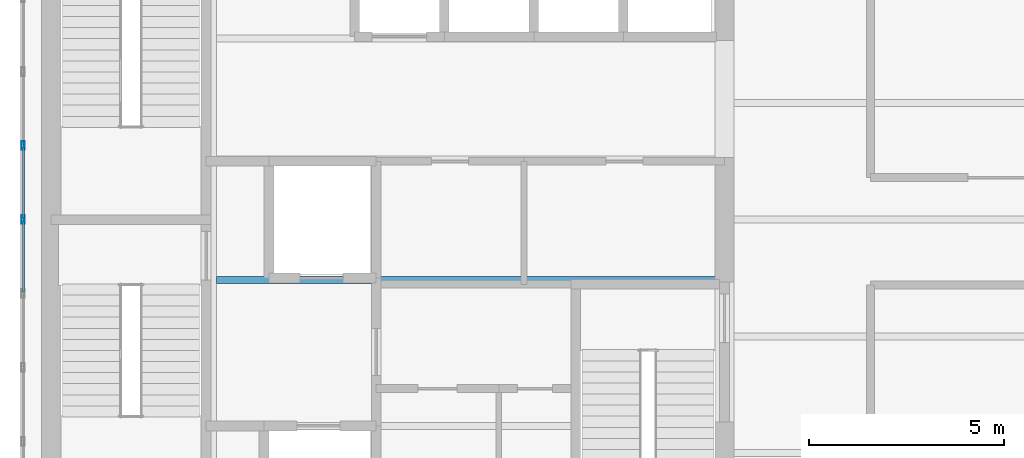
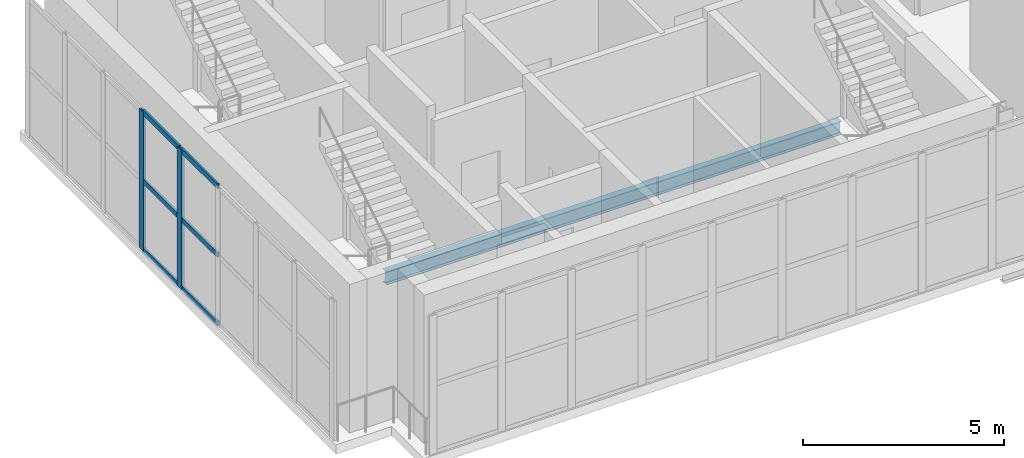
# One storey, part 3 of 21: 8 members, 1 beam, 1 element without a shape of its own.
"""IFC4 building model written with IfcOpenShell, lengths in metres."""

from ifc_helpers import new_model, si_unit, direction, frame, origin, origin_2d, place, context, subcontext, project, spatial, hollow_rectangle, i_section, extrude, material, layer, layer_set, material_profile, profile_set, type_object, element, aggregate, save


model = new_model("IFC4")

# Units and contexts
model_context = context("Model", 3, precision=1e-05, world=origin(), true_north=direction((0.0, 1.0)))
body_context = subcontext(model_context, "Body", "Model", "MODEL_VIEW")
ifc_project = project(units=[si_unit("LENGTHUNIT", "METRE"), si_unit("AREAUNIT", "SQUARE_METRE"), si_unit("VOLUMEUNIT", "CUBIC_METRE"), si_unit("PLANEANGLEUNIT", "RADIAN"), si_unit("MASSUNIT", "GRAM", prefix="KILO")], contexts=[model_context])

# Site, building, storey
site_placement = place(None, origin())
site = spatial("IfcSite", under=ifc_project, at=site_placement, CompositionType="ELEMENT")
building_placement = place(site_placement, origin())
building = spatial("IfcBuilding", under=site, at=building_placement, Name="Mawjdan Bourse Tower", CompositionType="ELEMENT")
storey_placement = place(building_placement, frame((0.0, 0.0, 313.199951171875)))
storey = spatial("IfcBuildingStorey", under=building, at=storey_placement, Name="L77", CompositionType="ELEMENT", Elevation=313.199951171875)

# Beam
ifc_material_1 = material(Name="Structural Steel S355", Category="steel")
ifc_material_profile_1 = material_profile(ifc_material_1, i_section(OverallWidth=0.177978515625, OverallDepth=0.406982421875, WebThickness=0.0078125, FlangeThickness=0.0126953125, FilletRadius=0.01025390625, at=origin_2d()), Name="W16X40")
ifc_profile_set_1 = profile_set([ifc_material_profile_1], Name="Structural Steel S355")
beam_type = type_object("IfcBeamType", Name="JST-W16X40", PredefinedType="JOIST", material=ifc_profile_set_1)
beam_placement = place(storey_placement, frame((10.593017578125, 10.449951171875, -0.4833984375), z_axis=(1.0, 0.0, 0.0), x_axis=(0.0, 1.0, 0.0)))
element("IfcBeam", 1, at=beam_placement, inside=storey, type_object=beam_type, Name="L77 Core Floor Joist 027", PredefinedType="JOIST", context=body_context, shape_type="SweptSolid", body=[
    extrude(i_section(OverallWidth=0.177978515625, OverallDepth=0.406982421875, WebThickness=0.0078125, FlangeThickness=0.0126953125, FilletRadius=0.01025390625, at=origin_2d()), origin(), (0.0, 0.0, 1.0), 13.056884765625),
])

# Curtain wall, members
ifc_material_2 = material(Name="Thermally Broken Aluminium and Solar Glass", Category="aluminium")
ifc_layer = layer(ifc_material_2, 0.219970703125)
ifc_layer_set = layer_set([ifc_layer], Name="Thermally Broken Aluminium and Solar Glass")
curtain_wall_type = type_object("IfcCurtainWallType", Name="CW-CRN", PredefinedType="USERDEFINED", material=ifc_layer_set)
curtain_wall_placement = place(storey_placement, origin())
curtain_wall = element("IfcCurtainWall", 2, at=curtain_wall_placement, inside=storey, type_object=curtain_wall_type, Name="L77 Lantern Crown West Curtain Wall", ObjectType="LANTERN GLAZED CROWN", PredefinedType="USERDEFINED")
ifc_material_3 = material(Name="Thermally Broken Anodised Aluminium", Category="aluminium")
ifc_material_profile_2 = material_profile(ifc_material_3, hollow_rectangle(XDim=0.074951171875, YDim=0.219970703125, WallThickness=0.0048828125, at=origin_2d()), Name="ALU-MUL-220X75")
ifc_profile_set_2 = profile_set([ifc_material_profile_2], Name="Thermally Broken Anodised Aluminium")
member_type_1 = type_object("IfcMemberType", Name="MUL-ALU-MUL-220X75", PredefinedType="MULLION", material=ifc_profile_set_2)
member_1_placement = place(storey_placement, frame((5.6298828125, 13.89990234375, 0.0), z_axis=(0.0, 0.0, 1.0), x_axis=(1.0, 0.0, 0.0)))
member_1 = element("IfcMember", 3, at=member_1_placement, type_object=member_type_1, Name="CW-CRN-L77-CRN-W mullion 4", PredefinedType="MULLION", context=body_context, shape_type="SweptSolid", body=[
    extrude(hollow_rectangle(XDim=0.074951171875, YDim=0.219970703125, WallThickness=0.0048828125, at=origin_2d()), origin(), (0.0, 0.0, 1.0), 4.219970703125),
])
member_2_placement = place(storey_placement, frame((5.6298828125, 12.0, 0.0), z_axis=(0.0, 0.0, 1.0), x_axis=(1.0, 0.0, 0.0)))
member_2 = element("IfcMember", 4, at=member_2_placement, type_object=member_type_1, Name="CW-CRN-L77-CRN-W mullion 5", PredefinedType="MULLION", context=body_context, shape_type="SweptSolid", body=[
    extrude(hollow_rectangle(XDim=0.074951171875, YDim=0.219970703125, WallThickness=0.0048828125, at=origin_2d()), origin(), (0.0, 0.0, 1.0), 4.219970703125),
])
ifc_material_profile_3 = material_profile(ifc_material_3, hollow_rectangle(XDim=0.06005859375, YDim=0.155029296875, WallThickness=0.00390625, at=origin_2d()), Name="ALU-TRN-155X60")
ifc_profile_set_3 = profile_set([ifc_material_profile_3], Name="Thermally Broken Anodised Aluminium")
member_type_2 = type_object("IfcMemberType", Name="TRN-ALU-TRN-155X60", PredefinedType="USERDEFINED", material=ifc_profile_set_3)
member_3_placement = place(storey_placement, frame((5.6298828125, 13.862548828125, 0.030029296875), z_axis=(0.0, -1.0, 0.0), x_axis=(1.0, 0.0, 0.0)))
member_3 = element("IfcMember", 5, at=member_3_placement, type_object=member_type_2, Name="CW-CRN-L77-CRN-W transom 4.1", ObjectType="TRANSOM", PredefinedType="USERDEFINED", context=body_context, shape_type="SweptSolid", body=[
    extrude(hollow_rectangle(XDim=0.06005859375, YDim=0.155029296875, WallThickness=0.00390625, at=origin_2d()), origin(), (0.0, 0.0, 1.0), 1.824951171875),
])
member_4_placement = place(storey_placement, frame((5.6298828125, 13.862548828125, 2.110107421875), z_axis=(0.0, -1.0, 0.0), x_axis=(1.0, 0.0, 0.0)))
member_4 = element("IfcMember", 6, at=member_4_placement, type_object=member_type_2, Name="CW-CRN-L77-CRN-W transom 4.2", ObjectType="TRANSOM", PredefinedType="USERDEFINED", context=body_context, shape_type="SweptSolid", body=[
    extrude(hollow_rectangle(XDim=0.06005859375, YDim=0.155029296875, WallThickness=0.00390625, at=origin_2d()), origin(), (0.0, 0.0, 1.0), 1.824951171875),
])
member_5_placement = place(storey_placement, frame((5.6298828125, 13.862548828125, 4.18994140625), z_axis=(0.0, -1.0, 0.0), x_axis=(1.0, 0.0, 0.0)))
member_5 = element("IfcMember", 7, at=member_5_placement, type_object=member_type_2, Name="CW-CRN-L77-CRN-W transom 4.3", ObjectType="TRANSOM", PredefinedType="USERDEFINED", context=body_context, shape_type="SweptSolid", body=[
    extrude(hollow_rectangle(XDim=0.06005859375, YDim=0.155029296875, WallThickness=0.00390625, at=origin_2d()), origin(), (0.0, 0.0, 1.0), 1.824951171875),
])
member_6_placement = place(storey_placement, frame((5.6298828125, 11.96240234375, 0.030029296875), z_axis=(0.0, -1.0, 0.0), x_axis=(1.0, 0.0, 0.0)))
member_6 = element("IfcMember", 8, at=member_6_placement, type_object=member_type_2, Name="CW-CRN-L77-CRN-W transom 5.1", ObjectType="TRANSOM", PredefinedType="USERDEFINED", context=body_context, shape_type="SweptSolid", body=[
    extrude(hollow_rectangle(XDim=0.06005859375, YDim=0.155029296875, WallThickness=0.00390625, at=origin_2d()), origin(), (0.0, 0.0, 1.0), 1.824951171875),
])
member_7_placement = place(storey_placement, frame((5.6298828125, 11.96240234375, 2.110107421875), z_axis=(0.0, -1.0, 0.0), x_axis=(1.0, 0.0, 0.0)))
member_7 = element("IfcMember", 9, at=member_7_placement, type_object=member_type_2, Name="CW-CRN-L77-CRN-W transom 5.2", ObjectType="TRANSOM", PredefinedType="USERDEFINED", context=body_context, shape_type="SweptSolid", body=[
    extrude(hollow_rectangle(XDim=0.06005859375, YDim=0.155029296875, WallThickness=0.00390625, at=origin_2d()), origin(), (0.0, 0.0, 1.0), 1.824951171875),
])
member_8_placement = place(storey_placement, frame((5.6298828125, 11.96240234375, 4.18994140625), z_axis=(0.0, -1.0, 0.0), x_axis=(1.0, 0.0, 0.0)))
member_8 = element("IfcMember", 10, at=member_8_placement, type_object=member_type_2, Name="CW-CRN-L77-CRN-W transom 5.3", ObjectType="TRANSOM", PredefinedType="USERDEFINED", context=body_context, shape_type="SweptSolid", body=[
    extrude(hollow_rectangle(XDim=0.06005859375, YDim=0.155029296875, WallThickness=0.00390625, at=origin_2d()), origin(), (0.0, 0.0, 1.0), 1.824951171875),
])
aggregate(curtain_wall, [member_1, member_2, member_3, member_4, member_5, member_6, member_7, member_8])

save(model, "model.ifc")
